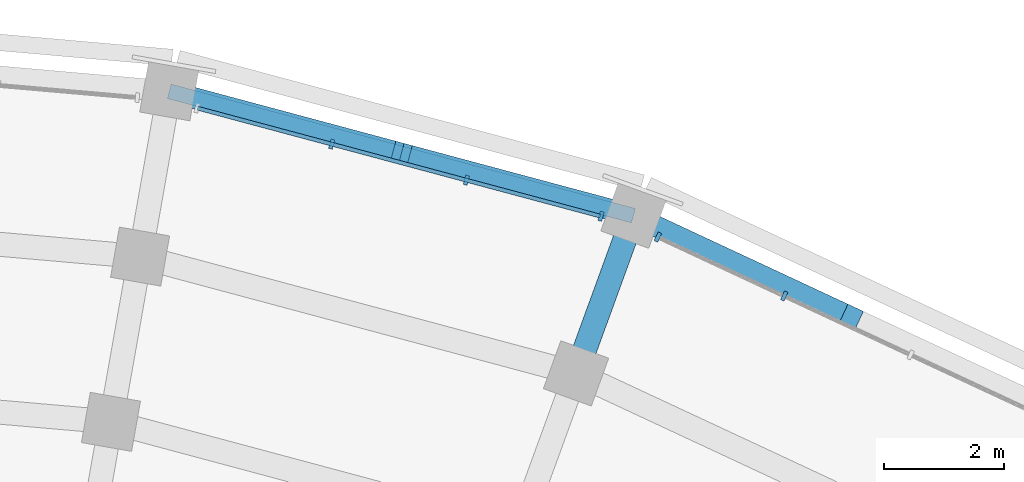
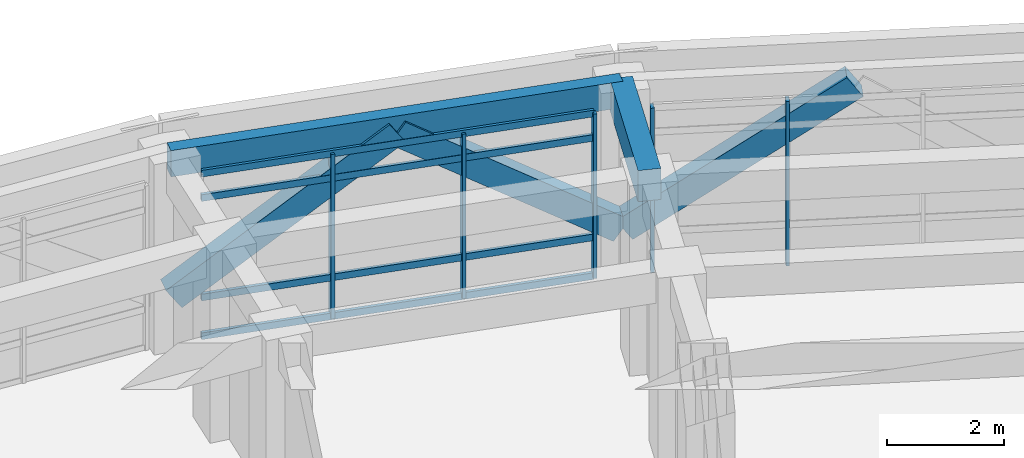
# One storey, part 40 of 97: 9 members, 5 beams, 2 elements without a shape of their own.
"""IFC4 building model written with IfcOpenShell, lengths in metres."""

from ifc_helpers import new_model, si_unit, direction, frame, origin, origin_2d, place, context, subcontext, project, spatial, rectangle, extrude, material, material_profile, profile_set, type_object, element, aggregate, save


model = new_model("IFC4")

# Units and contexts
model_context = context("Model", 3, precision=1e-05, world=origin(), true_north=direction((0.0, 1.0)))
body_context = subcontext(model_context, "Body", "Model", "MODEL_VIEW")
ifc_project = project(units=[si_unit("LENGTHUNIT", "METRE"), si_unit("AREAUNIT", "SQUARE_METRE"), si_unit("VOLUMEUNIT", "CUBIC_METRE"), si_unit("PLANEANGLEUNIT", "RADIAN"), si_unit("MASSUNIT", "GRAM", prefix="KILO")], contexts=[model_context])

# Site, building, storey
site_placement = place(None, origin())
site = spatial("IfcSite", under=ifc_project, at=site_placement, CompositionType="ELEMENT")
building_placement = place(site_placement, origin())
building = spatial("IfcBuilding", under=site, at=building_placement, Name="Kiranvali Square Residences", CompositionType="ELEMENT")
storey_placement = place(building_placement, frame((0.0, 0.0, 4.5)))
storey = spatial("IfcBuildingStorey", under=building, at=storey_placement, Name="L01", CompositionType="ELEMENT", Elevation=4.5)

# Beams
ifc_material_1 = material(Name="Concrete M40 (40 MPa)", Category="concrete")
ifc_material_profile_1 = material_profile(ifc_material_1, rectangle(XDim=0.35009765625, YDim=0.5, at=origin_2d()), Name="RC 350x500")
ifc_profile_set_1 = profile_set([ifc_material_profile_1], Name="Concrete M40 (40 MPa)")
beam_type_1 = type_object("IfcBeamType", Name="AR-M40-350x500", PredefinedType="USERDEFINED", material=ifc_profile_set_1)
for number, where, z_axis, x_axis, name in (
    (1, (127.826416015625, 133.0908203125, 0.89990234375), (0.793981793339, -0.212753144827, 0.56949891239), (0.2588262692, 0.965923890569, 0.0), "Classical pointed Ottoman arch rib ARCH-B-CRV-7-01.1"),
    (2, (131.660400390625, 132.0634765625, 3.64990234375), (0.793981793339, -0.212753144827, -0.56949891239), (0.2588262692, 0.965923890569, 0.0), "Classical pointed Ottoman arch rib ARCH-B-CRV-7-01.2"),
    (3, (135.569091796875, 131.009033203125, 0.89990234375), (0.744982317322, -0.347388768396, 0.56949309958), (0.422616071984, 0.906308808134, 0.0), "Classical pointed Ottoman arch rib ARCH-B-CRV-7-02.1"),
):
    element("IfcBeam", number, at=place(storey_placement, frame(where, z_axis=z_axis, x_axis=x_axis)), inside=storey, type_object=beam_type_1, Name=name, ObjectType="ARCH RIB", PredefinedType="USERDEFINED", context=body_context, shape_type="SweptSolid", body=[
        extrude(rectangle(XDim=0.35009765625, YDim=0.5, at=origin_2d()), origin(), (0.0, 0.0, 1.0), 4.828857421875),
    ])
ifc_material_2 = material(Name="Concrete M45 (45 MPa)", Category="concrete")
ifc_material_profile_2 = material_profile(ifc_material_2, rectangle(XDim=0.39990234375, YDim=0.64990234375, at=origin_2d()), Name="RC 400x650")
ifc_profile_set_2 = profile_set([ifc_material_profile_2], Name="Concrete M45 (45 MPa)")
beam_type_2 = type_object("IfcBeamType", Name="BM-M45-400x650", PredefinedType="BEAM", material=ifc_profile_set_2)
beam_1_placement = place(storey_placement, frame((134.5751953125, 128.394775390625, 3.655029296875), z_axis=(0.342058084236, 0.939678810556, 0.0), x_axis=(-0.939678810556, 0.342058084236, 0.0)))
element("IfcBeam", 4, at=beam_1_placement, inside=storey, type_object=beam_type_2, Name="L01 beam BM-B-L01-RAD02-67", PredefinedType="BEAM", context=body_context, shape_type="SweptSolid", body=[
    extrude(rectangle(XDim=0.39990234375, YDim=0.64990234375, at=origin_2d()), origin(), (0.0, 0.0, 1.0), 2.800048828125),
])

# Curtain wall, members
ifc_material_3 = material(Name="Anodised bronze aluminium framing", Category="aluminium")
curtain_wall_type = type_object("IfcCurtainWallType", Name="CW-RET-SHOP", PredefinedType="USERDEFINED", material=ifc_material_3)
curtain_wall_1_placement = place(storey_placement, origin())
curtain_wall_1 = element("IfcCurtainWall", 5, at=curtain_wall_1_placement, inside=storey, type_object=curtain_wall_type, Name="Block B L01 rounded-corner arcade curtain wall 2", ObjectType="CURTAIN WALL", PredefinedType="USERDEFINED")
ifc_material_profile_3 = material_profile(ifc_material_3, rectangle(XDim=0.06494140625, YDim=0.159912109375, at=origin_2d()), Name="ALU 65x160")
ifc_profile_set_3 = profile_set([ifc_material_profile_3], Name="Anodised bronze aluminium framing")
member_type_1 = type_object("IfcMemberType", Name="CW-MUL-160", PredefinedType="MULLION", material=ifc_profile_set_3)
member_1_placement = place(storey_placement, frame((130.498046875, 132.2197265625, 0.02001953125), z_axis=(0.0, 0.0, 1.0), x_axis=(0.965925826289, -0.258819045103, 0.0)))
member_1 = element("IfcMember", 6, at=member_1_placement, type_object=member_type_1, Name="CW-B-L01-CRV-01 vertical mullion 2", PredefinedType="MULLION", context=body_context, shape_type="SweptSolid", body=[
    extrude(rectangle(XDim=0.06494140625, YDim=0.159912109375, at=origin_2d()), origin(), (0.0, 0.0, 1.0), 3.43994140625),
])
member_2_placement = place(storey_placement, frame((132.744873046875, 131.61767578125, 0.02001953125), z_axis=(0.0, 0.0, 1.0), x_axis=(0.965925826289, -0.258819045103, 0.0)))
member_2 = element("IfcMember", 7, at=member_2_placement, type_object=member_type_1, Name="CW-B-L01-CRV-01 vertical mullion 3", PredefinedType="MULLION", context=body_context, shape_type="SweptSolid", body=[
    extrude(rectangle(XDim=0.06494140625, YDim=0.159912109375, at=origin_2d()), origin(), (0.0, 0.0, 1.0), 3.43994140625),
])
member_3_placement = place(storey_placement, frame((134.99169921875, 131.015625, 0.02001953125), z_axis=(0.0, 0.0, 1.0), x_axis=(0.965925826289, -0.258819045103, 0.0)))
member_3 = element("IfcMember", 8, at=member_3_placement, type_object=member_type_1, Name="CW-B-L01-CRV-01 vertical mullion 4", PredefinedType="MULLION", context=body_context, shape_type="SweptSolid", body=[
    extrude(rectangle(XDim=0.06494140625, YDim=0.159912109375, at=origin_2d()), origin(), (0.0, 0.0, 1.0), 3.43994140625),
])

curtain_wall_2_placement = place(storey_placement, origin())
curtain_wall_2 = element("IfcCurtainWall", 9, at=curtain_wall_2_placement, inside=storey, type_object=curtain_wall_type, Name="Block B L01 rounded-corner arcade curtain wall 3", ObjectType="CURTAIN WALL", PredefinedType="USERDEFINED")
member_4_placement = place(storey_placement, frame((135.94091796875, 130.670166015625, 0.02001953125), z_axis=(0.0, 0.0, 1.0), x_axis=(0.906307787037, -0.422618261741, 0.0)))
member_4 = element("IfcMember", 10, at=member_4_placement, type_object=member_type_1, Name="CW-B-L01-CRV-02 vertical mullion 1", PredefinedType="MULLION", context=body_context, shape_type="SweptSolid", body=[
    extrude(rectangle(XDim=0.06494140625, YDim=0.159912109375, at=origin_2d()), origin(), (0.0, 0.0, 1.0), 3.43994140625),
])
member_5_placement = place(storey_placement, frame((138.049072265625, 129.68701171875, 0.02001953125), z_axis=(0.0, 0.0, 1.0), x_axis=(0.906307787037, -0.422618261741, 0.0)))
member_5 = element("IfcMember", 11, at=member_5_placement, type_object=member_type_1, Name="CW-B-L01-CRV-02 vertical mullion 2", PredefinedType="MULLION", context=body_context, shape_type="SweptSolid", body=[
    extrude(rectangle(XDim=0.06494140625, YDim=0.159912109375, at=origin_2d()), origin(), (0.0, 0.0, 1.0), 3.43994140625),
])
aggregate(curtain_wall_2, [member_4, member_5])

# Member
ifc_material_profile_4 = material_profile(ifc_material_3, rectangle(XDim=0.06494140625, YDim=0.139892578125, at=origin_2d()), Name="ALU 65x140")
ifc_profile_set_4 = profile_set([ifc_material_profile_4], Name="Anodised bronze aluminium framing")
member_type_2 = type_object("IfcMemberType", Name="CW-TRN-140", PredefinedType="MULLION", material=ifc_profile_set_4)
member_6_placement = place(storey_placement, frame((128.260986328125, 132.819091796875, 0.0400390625), z_axis=(0.96592267958, -0.258830788495, 0.0), x_axis=(0.258830788495, 0.96592267958, 0.0)))
member_6 = element("IfcMember", 12, at=member_6_placement, type_object=member_type_2, Name="CW-B-L01-CRV-01 horizontal transom 1", PredefinedType="MULLION", context=body_context, shape_type="SweptSolid", body=[
    extrude(rectangle(XDim=0.06494140625, YDim=0.139892578125, at=origin_2d()), origin(), (0.0, 0.0, 1.0), 6.958251953125),
])

member_7_placement = place(storey_placement, frame((128.260986328125, 132.819091796875, 0.85009765625), z_axis=(0.96592267958, -0.258830788495, 0.0), x_axis=(0.258830788495, 0.96592267958, 0.0)))
member_7 = element("IfcMember", 13, at=member_7_placement, type_object=member_type_2, Name="CW-B-L01-CRV-01 horizontal transom 2", PredefinedType="MULLION", context=body_context, shape_type="SweptSolid", body=[
    extrude(rectangle(XDim=0.06494140625, YDim=0.139892578125, at=origin_2d()), origin(), (0.0, 0.0, 1.0), 6.958251953125),
])

member_8_placement = place(storey_placement, frame((128.260986328125, 132.819091796875, 2.929931640625), z_axis=(0.96592267958, -0.258830788495, 0.0), x_axis=(0.258830788495, 0.96592267958, 0.0)))
member_8 = element("IfcMember", 14, at=member_8_placement, type_object=member_type_2, Name="CW-B-L01-CRV-01 horizontal transom 3", PredefinedType="MULLION", context=body_context, shape_type="SweptSolid", body=[
    extrude(rectangle(XDim=0.06494140625, YDim=0.139892578125, at=origin_2d()), origin(), (0.0, 0.0, 1.0), 6.958251953125),
])

member_9_placement = place(storey_placement, frame((128.260986328125, 132.819091796875, 3.43994140625), z_axis=(0.96592267958, -0.258830788495, 0.0), x_axis=(0.258830788495, 0.96592267958, 0.0)))
member_9 = element("IfcMember", 15, at=member_9_placement, type_object=member_type_2, Name="CW-B-L01-CRV-01 horizontal transom 4", PredefinedType="MULLION", context=body_context, shape_type="SweptSolid", body=[
    extrude(rectangle(XDim=0.06494140625, YDim=0.139892578125, at=origin_2d()), origin(), (0.0, 0.0, 1.0), 6.958251953125),
])

aggregate(curtain_wall_1, [member_1, member_2, member_3, member_6, member_7, member_8, member_9])

# Beam
ifc_material_profile_5 = material_profile(ifc_material_1, rectangle(XDim=0.25, YDim=0.550048828125, at=origin_2d()), Name="RC 250x550")
ifc_profile_set_5 = profile_set([ifc_material_profile_5], Name="Concrete M40 (40 MPa)")
beam_type_3 = type_object("IfcBeamType", Name="SPN-M40-250x550", PredefinedType="SPANDREL", material=ifc_profile_set_5)
beam_2_placement = place(storey_placement, frame((127.787841796875, 133.10107421875, 3.705078125), z_axis=(0.96592902462, -0.258807108475, 0.0), x_axis=(0.258807108475, 0.96592902462, 0.0)))
element("IfcBeam", 16, at=beam_2_placement, inside=storey, type_object=beam_type_3, Name="L01 beam BM-B-L01-C01-R7", PredefinedType="SPANDREL", context=body_context, shape_type="SweptSolid", body=[
    extrude(rectangle(XDim=0.25, YDim=0.550048828125, at=origin_2d()), origin(), (0.0, 0.0, 1.0), 8.018310546875),
])

save(model, "model.ifc")
